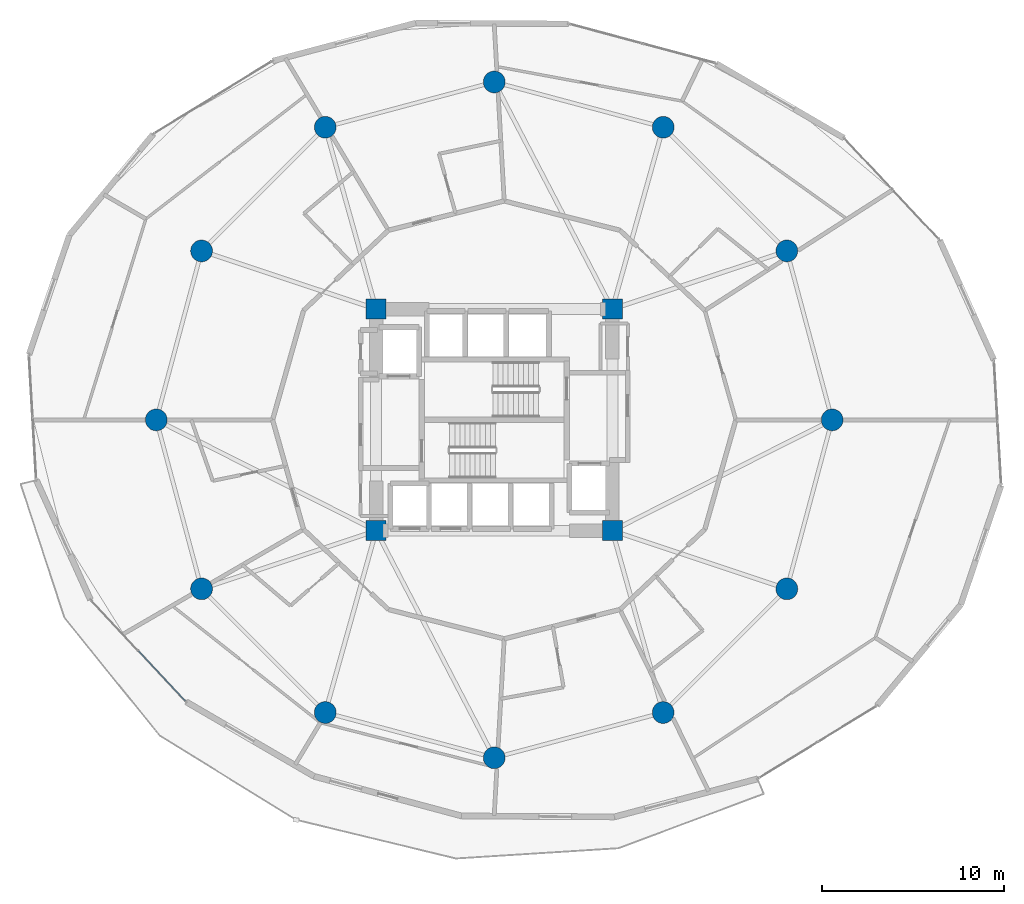
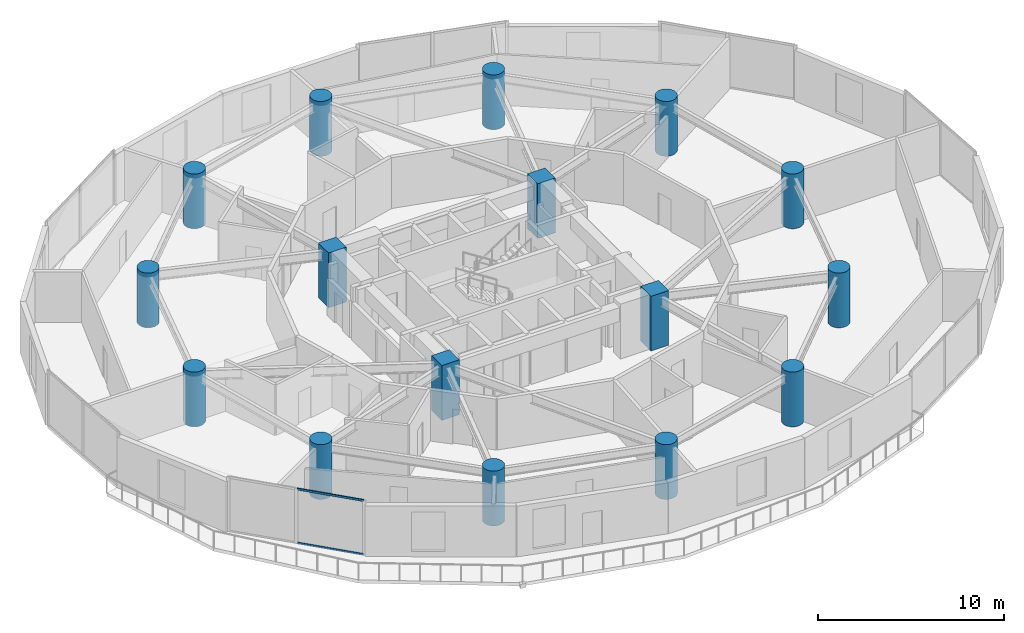
# One storey, part 1 of 23: 16 columns, 2 members, 1 element without a shape of its own.
"""IFC4 building model written with IfcOpenShell, lengths in metres."""

from ifc_helpers import new_model, si_unit, direction, frame, origin, origin_2d, place, context, subcontext, project, spatial, rectangle, hollow_rectangle, circle, extrude, source, transform, mapped, material, layer, layer_set, material_profile, profile_set, type_object, element, aggregate, save


model = new_model("IFC4")

# Units and contexts
model_context = context("Model", 3, precision=1e-05, world=origin(), true_north=direction((0.0, 1.0)))
body_context = subcontext(model_context, "Body", "Model", "MODEL_VIEW")
ifc_project = project(units=[si_unit("LENGTHUNIT", "METRE"), si_unit("AREAUNIT", "SQUARE_METRE"), si_unit("VOLUMEUNIT", "CUBIC_METRE"), si_unit("PLANEANGLEUNIT", "RADIAN"), si_unit("MASSUNIT", "GRAM", prefix="KILO")], contexts=[model_context])

# Site, building, storey
site_placement = place(None, origin())
site = spatial("IfcSite", under=ifc_project, at=site_placement, CompositionType="ELEMENT")
building_placement = place(site_placement, origin())
building = spatial("IfcBuilding", under=site, at=building_placement, Name="Solvirekh Grand Hotel", CompositionType="ELEMENT")
storey_placement = place(building_placement, frame((0.0, 0.0, 39.199951171875)))
storey = spatial("IfcBuildingStorey", under=building, at=storey_placement, Name="L08", CompositionType="ELEMENT", Elevation=39.199951171875)

# Columns
ifc_material_1 = material(Name="Concrete C60/75", Category="concrete")
ifc_material_profile_1 = material_profile(ifc_material_1, rectangle(XDim=1.10009765625, YDim=1.10009765625, at=origin_2d()), Name="RC 1100X1100")
ifc_profile_set_1 = profile_set([ifc_material_profile_1], Name="Concrete C60/75")
column_type_1 = type_object("IfcColumnType", Name="Col_Core_1100", PredefinedType="COLUMN", material=ifc_profile_set_1)
for number, where, z_axis, x_axis, name in (
    (1, (-6.5, -6.10009765625, 0.0), (0.0, 0.0, 1.0), (1.0, 0.0, 0.0), "L08 core corner column CC1"),
    (2, (6.5, -6.10009765625, 0.0), (0.0, 0.0, 1.0), (1.0, 0.0, 0.0), "L08 core corner column CC2"),
    (3, (6.5, 6.10009765625, 0.0), (0.0, 0.0, 1.0), (1.0, 0.0, 0.0), "L08 core corner column CC3"),
    (4, (-6.5, 6.10009765625, 0.0), (0.0, 0.0, 1.0), (1.0, 0.0, 0.0), "L08 core corner column CC4"),
):
    element("IfcColumn", number, at=place(storey_placement, frame(where, z_axis=z_axis, x_axis=x_axis)), inside=storey, type_object=column_type_1, Name=name, PredefinedType="COLUMN", context=body_context, shape_type="SweptSolid", body=[
        extrude(rectangle(XDim=1.10009765625, YDim=1.10009765625, at=origin_2d()), origin(), (0.0, 0.0, 1.0), 3.60009765625),
    ])
ifc_material_profile_2 = material_profile(ifc_material_1, circle(Radius=0.60009765625, at=origin_2d()), Name="RC CIRC D1200")
ifc_profile_set_2 = profile_set([ifc_material_profile_2], Name="Concrete C60/75")
column_type_2 = type_object("IfcColumnType", Name="Col_Z1_D1200", PredefinedType="COLUMN", material=ifc_profile_set_2)
for number, where, z_axis, x_axis, name in (
    (5, (18.60009765625, 0.0, 0.0), (0.0, 0.0, 1.0), (1.0, 0.0, 0.0), "L08 perimeter column P01"),
    (6, (16.10791015625, 9.300048828125, 0.0), (0.0, 0.0, 1.0), (1.0, 0.0, 0.0), "L08 perimeter column P02"),
    (7, (9.300048828125, 16.10791015625, 0.0), (0.0, 0.0, 1.0), (1.0, 0.0, 0.0), "L08 perimeter column P03"),
    (8, (0.0, 18.60009765625, 0.0), (0.0, 0.0, 1.0), (1.0, 0.0, 0.0), "L08 perimeter column P04"),
    (9, (-9.300048828125, 16.10791015625, 0.0), (0.0, 0.0, 1.0), (1.0, 0.0, 0.0), "L08 perimeter column P05"),
    (10, (-16.10791015625, 9.300048828125, 0.0), (0.0, 0.0, 1.0), (1.0, 0.0, 0.0), "L08 perimeter column P06"),
    (11, (-18.60009765625, 0.0, 0.0), (0.0, 0.0, 1.0), (1.0, 0.0, 0.0), "L08 perimeter column P07"),
    (12, (-16.10791015625, -9.300048828125, 0.0), (0.0, 0.0, 1.0), (1.0, 0.0, 0.0), "L08 perimeter column P08"),
    (13, (-9.300048828125, -16.10791015625, 0.0), (0.0, 0.0, 1.0), (1.0, 0.0, 0.0), "L08 perimeter column P09"),
    (14, (0.0, -18.60009765625, 0.0), (0.0, 0.0, 1.0), (1.0, 0.0, 0.0), "L08 perimeter column P10"),
    (15, (9.300048828125, -16.10791015625, 0.0), (0.0, 0.0, 1.0), (1.0, 0.0, 0.0), "L08 perimeter column P11"),
    (16, (16.10791015625, -9.300048828125, 0.0), (0.0, 0.0, 1.0), (1.0, 0.0, 0.0), "L08 perimeter column P12"),
):
    element("IfcColumn", number, at=place(storey_placement, frame(where, z_axis=z_axis, x_axis=x_axis)), inside=storey, type_object=column_type_2, Name=name, PredefinedType="COLUMN", context=body_context, shape_type="SweptSolid", body=[
        extrude(circle(Radius=0.60009765625, at=origin_2d()), origin(), (0.0, 0.0, 1.0), 3.60009765625),
    ])

# Curtain wall, members
ifc_material_2 = material(Name="Anodized Bronze Aluminium 6063-T6", Category="aluminium")
ifc_layer = layer(ifc_material_2, 0.18994140625)
ifc_layer_set = layer_set([ifc_layer], Name="Anodized Bronze Aluminium 6063-T6")
curtain_wall_type = type_object("IfcCurtainWallType", Name="CW_Sys2_LowZoneFlushBronzeCW", PredefinedType="NOTDEFINED", material=ifc_layer_set)
curtain_wall_placement = place(storey_placement, origin())
curtain_wall = element("IfcCurtainWall", 17, at=curtain_wall_placement, inside=storey, type_object=curtain_wall_type, Name="L08 unitised bronze-glass curtain wall CW-L08-C13", PredefinedType="NOTDEFINED")
ifc_material_profile_3 = material_profile(ifc_material_2, hollow_rectangle(XDim=0.06005859375, YDim=0.135009765625, WallThickness=0.00390625, at=origin_2d()), Name="ALU RHS 135X60X4")
ifc_profile_set_3 = profile_set([ifc_material_profile_3], Name="Anodized Bronze Aluminium 6063-T6")
member_type = type_object("IfcMemberType", Name="CWTransom_Sys2", PredefinedType="USERDEFINED", material=ifc_profile_set_3)
shared_shape = source(origin(), body_context, "Body", "SweptSolid", [
    extrude(hollow_rectangle(XDim=0.06005859375, YDim=0.135009765625, WallThickness=0.00390625, at=origin_2d()), origin(), (0.0, 0.0, 1.0), 3.748046875),
])
member_1_placement = place(storey_placement, frame((-19.567138671875, -12.732421875, 0.030029296875), z_axis=(0.683873957625, -0.729600171383, 0.0), x_axis=(0.729600171383, 0.683873957625, 0.0)))
member_1 = element("IfcMember", 18, at=member_1_placement, type_object=member_type, Name="U02 transom 2.1", ObjectType="TRANSOM", PredefinedType="USERDEFINED", context=body_context, shape_type="MappedRepresentation", body=[
    mapped(shared_shape, transform((0.0, 0.0, 0.0), x_axis=(1.0, 0.0, 0.0), y_axis=(0.0, 1.0, 0.0), z_axis=(0.0, 0.0, 1.0), scale=1.0)),
])
member_2_placement = place(storey_placement, frame((-19.567138671875, -12.732421875, 3.570068359375), z_axis=(0.683873957625, -0.729600171383, 0.0), x_axis=(0.729600171383, 0.683873957625, 0.0)))
member_2 = element("IfcMember", 19, at=member_2_placement, type_object=member_type, Name="U02 transom 2.2", ObjectType="TRANSOM", PredefinedType="USERDEFINED", context=body_context, shape_type="MappedRepresentation", body=[
    mapped(shared_shape, transform((0.0, 0.0, 0.0), x_axis=(1.0, 0.0, 0.0), y_axis=(0.0, 1.0, 0.0), z_axis=(0.0, 0.0, 1.0), scale=1.0)),
])
aggregate(curtain_wall, [member_1, member_2])

save(model, "model.ifc")
